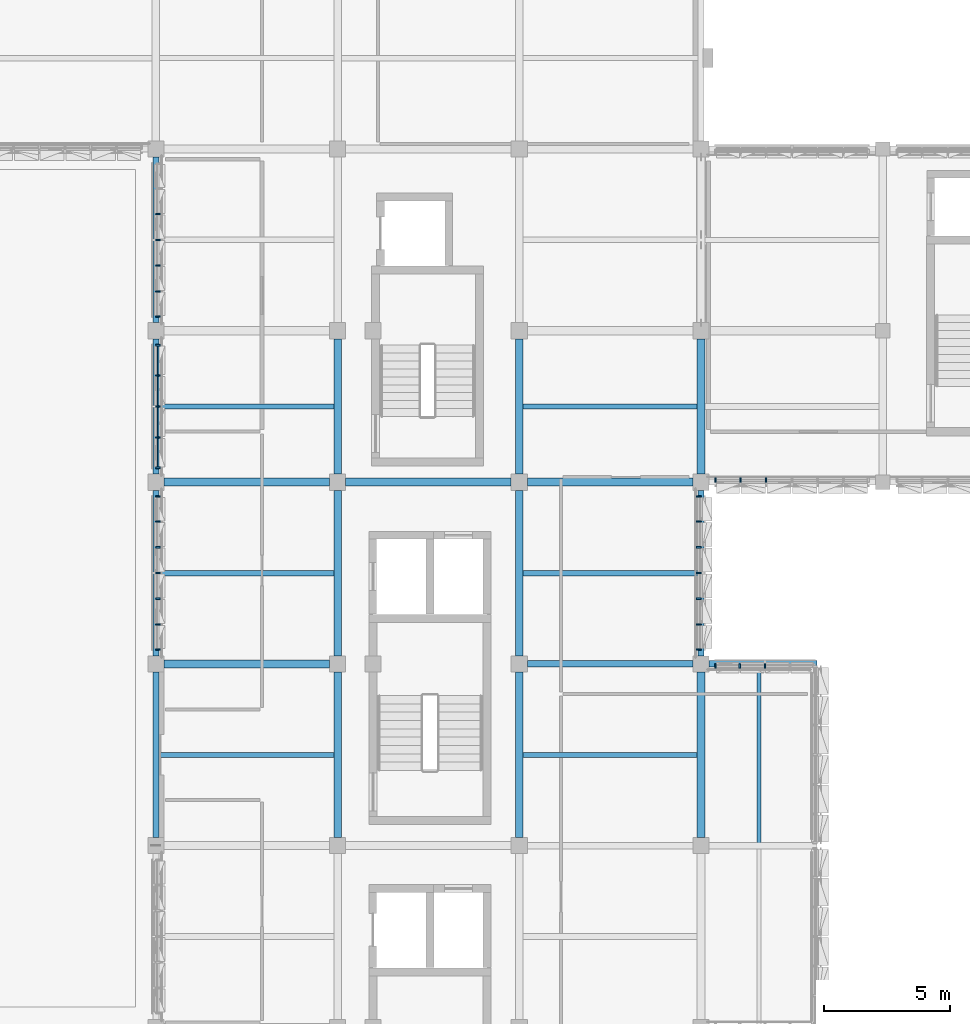
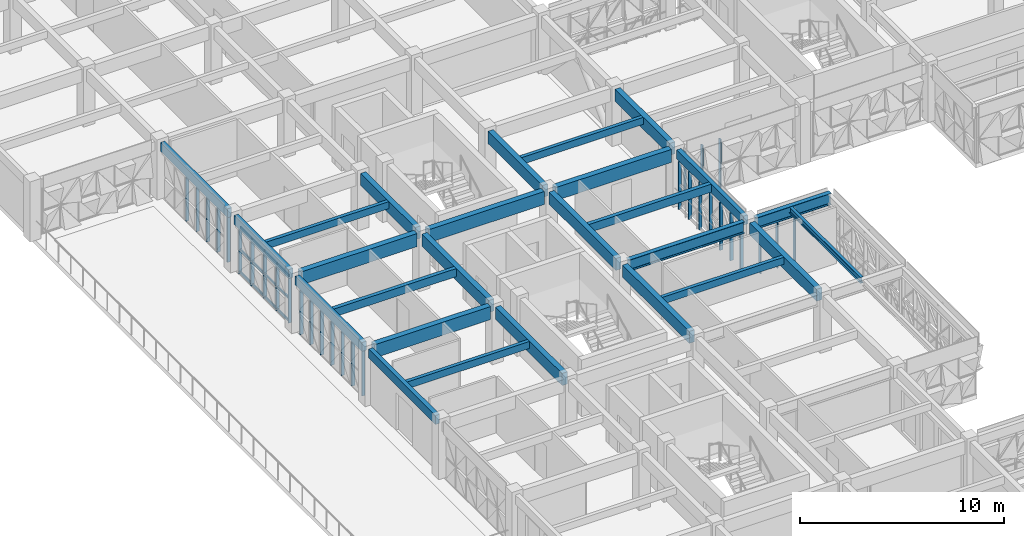
# One storey, part 6 of 85: 42 members, 26 beams, 6 elements without a shape of their own.
"""IFC4 building model written with IfcOpenShell, lengths in metres."""

from ifc_helpers import new_model, si_unit, direction, frame, origin, origin_2d, place, context, subcontext, project, spatial, rectangle, i_section, extrude, material, material_profile, profile_set, type_object, element, aggregate, save


model = new_model("IFC4")

# Units and contexts
model_context = context("Model", 3, precision=1e-05, world=origin(), true_north=direction((0.0, 1.0)))
body_context = subcontext(model_context, "Body", "Model", "MODEL_VIEW")
ifc_project = project(units=[si_unit("LENGTHUNIT", "METRE"), si_unit("AREAUNIT", "SQUARE_METRE"), si_unit("VOLUMEUNIT", "CUBIC_METRE"), si_unit("PLANEANGLEUNIT", "RADIAN"), si_unit("MASSUNIT", "GRAM", prefix="KILO")], contexts=[model_context])

# Site, building, storey
site_placement = place(None, origin())
site = spatial("IfcSite", under=ifc_project, at=site_placement, CompositionType="ELEMENT")
building_placement = place(site_placement, origin())
building = spatial("IfcBuilding", under=site, at=building_placement, Name="Alvorim Cloister Faculty of Sciences", CompositionType="ELEMENT")
storey_placement = place(building_placement, frame((0.0, 0.0, 8.550048828125)))
storey = spatial("IfcBuildingStorey", under=building, at=storey_placement, Name="L02", CompositionType="ELEMENT", Elevation=8.550048828125)

# Beams
ifc_material_1 = material(Name="Glulam GL32h", Category="wood")
ifc_material_profile_1 = material_profile(ifc_material_1, rectangle(XDim=0.300048828125, YDim=0.719970703125, at=origin_2d()), Name="GL32-BM-300x720")
ifc_profile_set_1 = profile_set([ifc_material_profile_1], Name="Glulam GL32h")
beam_type_1 = type_object("IfcBeamType", Name="BM-GL-300x720", PredefinedType="BEAM", material=ifc_profile_set_1)
for number, where, z_axis, x_axis, name in (
    (1, (14.39990234375, 29.1201171875, 3.030029296875), (0.0, 1.0, 0.0), (-1.0, 0.0, 0.0), "L02 Primary Girder BM-1369"),
    (2, (14.39990234375, 36.320068359375, 3.030029296875), (0.0, 1.0, 0.0), (-1.0, 0.0, 0.0), "L02 Primary Girder BM-1370"),
):
    element("IfcBeam", number, at=place(storey_placement, frame(where, z_axis=z_axis, x_axis=x_axis)), inside=storey, type_object=beam_type_1, Name=name, PredefinedType="BEAM", context=body_context, shape_type="SweptSolid", body=[
        extrude(rectangle(XDim=0.300048828125, YDim=0.719970703125, at=origin_2d()), origin(), (0.0, 0.0, 1.0), 6.559814453125),
    ])
beam_1_placement = place(storey_placement, frame((14.39990234375, 43.52001953125, 3.030029296875), z_axis=(0.0, 1.0, 0.0), x_axis=(-1.0, 0.0, 0.0)))
element("IfcBeam", 3, at=beam_1_placement, inside=storey, type_object=beam_type_1, Name="L02 Primary Girder BM-1371", PredefinedType="BEAM", context=body_context, shape_type="SweptSolid", body=[
    extrude(rectangle(XDim=0.300048828125, YDim=0.719970703125, at=origin_2d()), origin(), (0.0, 0.0, 1.0), 5.35986328125),
])
for number, where, z_axis, x_axis, name in (
    (4, (21.60009765625, 29.1201171875, 3.030029296875), (0.0, 1.0, 0.0), (-1.0, 0.0, 0.0), "L02 Primary Girder BM-1385"),
    (5, (21.60009765625, 36.320068359375, 3.030029296875), (0.0, 1.0, 0.0), (-1.0, 0.0, 0.0), "L02 Primary Girder BM-1386"),
):
    element("IfcBeam", number, at=place(storey_placement, frame(where, z_axis=z_axis, x_axis=x_axis)), inside=storey, type_object=beam_type_1, Name=name, PredefinedType="BEAM", context=body_context, shape_type="SweptSolid", body=[
        extrude(rectangle(XDim=0.300048828125, YDim=0.719970703125, at=origin_2d()), origin(), (0.0, 0.0, 1.0), 6.559814453125),
    ])
beam_2_placement = place(storey_placement, frame((21.60009765625, 43.52001953125, 3.030029296875), z_axis=(0.0, 1.0, 0.0), x_axis=(-1.0, 0.0, 0.0)))
element("IfcBeam", 6, at=beam_2_placement, inside=storey, type_object=beam_type_1, Name="L02 Primary Girder BM-1387", PredefinedType="BEAM", context=body_context, shape_type="SweptSolid", body=[
    extrude(rectangle(XDim=0.300048828125, YDim=0.719970703125, at=origin_2d()), origin(), (0.0, 0.0, 1.0), 5.35986328125),
])
beam_3_placement = place(storey_placement, frame((28.800048828125, 29.1201171875, 3.030029296875), z_axis=(0.0, 1.0, 0.0), x_axis=(-1.0, 0.0, 0.0)))
element("IfcBeam", 7, at=beam_3_placement, inside=storey, type_object=beam_type_1, Name="L02 Primary Girder BM-1401", PredefinedType="BEAM", context=body_context, shape_type="SweptSolid", body=[
    extrude(rectangle(XDim=0.300048828125, YDim=0.719970703125, at=origin_2d()), origin(), (0.0, 0.0, 1.0), 6.559814453125),
])
beam_4_placement = place(storey_placement, frame((28.800048828125, 43.52001953125, 3.030029296875), z_axis=(0.0, 1.0, 0.0), x_axis=(-1.0, 0.0, 0.0)))
element("IfcBeam", 8, at=beam_4_placement, inside=storey, type_object=beam_type_1, Name="L02 Primary Girder BM-1403", PredefinedType="BEAM", context=body_context, shape_type="SweptSolid", body=[
    extrude(rectangle(XDim=0.300048828125, YDim=0.719970703125, at=origin_2d()), origin(), (0.0, 0.0, 1.0), 5.35986328125),
])
ifc_material_profile_2 = material_profile(ifc_material_1, rectangle(XDim=0.320068359375, YDim=0.780029296875, at=origin_2d()), Name="GL32-BM-320x780")
ifc_profile_set_2 = profile_set([ifc_material_profile_2], Name="Glulam GL32h")
beam_type_2 = type_object("IfcBeamType", Name="BM-GL-320x780", PredefinedType="BEAM", material=ifc_profile_set_2)
for number, where, z_axis, x_axis, name in (
    (9, (7.52001953125, 36.0, 3.0), (1.0, 0.0, 0.0), (0.0, 1.0, 0.0), "L02 Primary Beam BM-1288"),
    (10, (7.52001953125, 43.199951171875, 3.0), (1.0, 0.0, 0.0), (0.0, 1.0, 0.0), "L02 Primary Beam BM-1289"),
    (11, (14.719970703125, 43.199951171875, 3.0), (1.0, 0.0, 0.0), (0.0, 1.0, 0.0), "L02 Primary Beam BM-1290"),
    (12, (21.919921875, 43.199951171875, 3.0), (1.0, 0.0, 0.0), (0.0, 1.0, 0.0), "L02 Primary Beam BM-1291"),
):
    element("IfcBeam", number, at=place(storey_placement, frame(where, z_axis=z_axis, x_axis=x_axis)), inside=storey, type_object=beam_type_2, Name=name, PredefinedType="BEAM", context=body_context, shape_type="SweptSolid", body=[
        extrude(rectangle(XDim=0.320068359375, YDim=0.780029296875, at=origin_2d()), origin(), (0.0, 0.0, 1.0), 6.56005859375),
    ])
ifc_material_2 = material(Name="Glulam GL28h", Category="wood")
ifc_material_profile_3 = material_profile(ifc_material_2, rectangle(XDim=0.199951171875, YDim=0.419921875, at=origin_2d()), Name="GL28-JST-200x420")
ifc_profile_set_3 = profile_set([ifc_material_profile_3], Name="Glulam GL28h")
beam_type_3 = type_object("IfcBeamType", Name="BM-JST-GL-200x420", PredefinedType="JOIST", material=ifc_profile_set_3)
for number, where, z_axis, x_axis, name in (
    (13, (7.320068359375, 32.39990234375, 3.179931640625), (1.0, 0.0, 0.0), (0.0, 1.0, 0.0), "L02 Secondary Floor Joist BM-1451"),
    (14, (7.320068359375, 46.199951171875, 3.179931640625), (1.0, 0.0, 0.0), (0.0, 1.0, 0.0), "L02 Secondary Floor Joist BM-1453"),
):
    element("IfcBeam", number, at=place(storey_placement, frame(where, z_axis=z_axis, x_axis=x_axis)), inside=storey, type_object=beam_type_3, Name=name, PredefinedType="JOIST", context=body_context, shape_type="SweptSolid", body=[
        extrude(rectangle(XDim=0.199951171875, YDim=0.419921875, at=origin_2d()), origin(), (0.0, 0.0, 1.0), 6.929931640625),
    ])
for number, where, z_axis, x_axis, name in (
    (15, (21.75, 32.39990234375, 3.179931640625), (1.0, 0.0, 0.0), (0.0, 1.0, 0.0), "L02 Secondary Floor Joist BM-1475"),
    (16, (21.75, 46.199951171875, 3.179931640625), (1.0, 0.0, 0.0), (0.0, 1.0, 0.0), "L02 Secondary Floor Joist BM-1477"),
):
    element("IfcBeam", number, at=place(storey_placement, frame(where, z_axis=z_axis, x_axis=x_axis)), inside=storey, type_object=beam_type_3, Name=name, PredefinedType="JOIST", context=body_context, shape_type="SweptSolid", body=[
        extrude(rectangle(XDim=0.199951171875, YDim=0.419921875, at=origin_2d()), origin(), (0.0, 0.0, 1.0), 6.89990234375),
    ])
ifc_material_profile_4 = material_profile(ifc_material_2, rectangle(XDim=0.219970703125, YDim=0.47998046875, at=origin_2d()), Name="GL28-JST-220x480")
ifc_profile_set_4 = profile_set([ifc_material_profile_4], Name="Glulam GL28h")
beam_type_4 = type_object("IfcBeamType", Name="BM-JST-GL-220x480", PredefinedType="JOIST", material=ifc_profile_set_4)
for number, where, z_axis, x_axis, name in (
    (17, (7.320068359375, 39.60009765625, 3.14990234375), (1.0, 0.0, 0.0), (0.0, 1.0, 0.0), "L02 Secondary Floor Joist BM-1452"),
    (18, (21.75, 39.60009765625, 3.14990234375), (1.0, 0.0, 0.0), (0.0, 1.0, 0.0), "L02 Secondary Floor Joist BM-1476"),
):
    element("IfcBeam", number, at=place(storey_placement, frame(where, z_axis=z_axis, x_axis=x_axis)), inside=storey, type_object=beam_type_4, Name=name, PredefinedType="JOIST", context=body_context, shape_type="SweptSolid", body=[
        extrude(rectangle(XDim=0.219970703125, YDim=0.47998046875, at=origin_2d()), origin(), (0.0, 0.0, 1.0), 6.929931640625),
    ])
ifc_material_profile_5 = material_profile(ifc_material_2, rectangle(XDim=0.239990234375, YDim=0.5400390625, at=origin_2d()), Name="GL28-SPD-240x540")
ifc_profile_set_5 = profile_set([ifc_material_profile_5], Name="Glulam GL28h")
beam_type_5 = type_object("IfcBeamType", Name="BM-SPD-GL-240x540", PredefinedType="SPANDREL", material=ifc_profile_set_5)
for number, where, z_axis, x_axis, name in (
    (19, (7.199951171875, 29.1201171875, 3.119873046875), (0.0, 1.0, 0.0), (-1.0, 0.0, 0.0), "L02 Primary Girder BM-1353"),
    (20, (7.199951171875, 36.320068359375, 3.119873046875), (0.0, 1.0, 0.0), (-1.0, 0.0, 0.0), "L02 Primary Girder BM-1354"),
):
    element("IfcBeam", number, at=place(storey_placement, frame(where, z_axis=z_axis, x_axis=x_axis)), inside=storey, type_object=beam_type_5, Name=name, PredefinedType="SPANDREL", context=body_context, shape_type="SweptSolid", body=[
        extrude(rectangle(XDim=0.239990234375, YDim=0.5400390625, at=origin_2d()), origin(), (0.0, 0.0, 1.0), 6.559814453125),
    ])
beam_5_placement = place(storey_placement, frame((7.199951171875, 43.52001953125, 3.119873046875), z_axis=(0.0, 1.0, 0.0), x_axis=(-1.0, 0.0, 0.0)))
element("IfcBeam", 21, at=beam_5_placement, inside=storey, type_object=beam_type_5, Name="L02 Primary Girder BM-1355", PredefinedType="SPANDREL", context=body_context, shape_type="SweptSolid", body=[
    extrude(rectangle(XDim=0.239990234375, YDim=0.5400390625, at=origin_2d()), origin(), (0.0, 0.0, 1.0), 5.35986328125),
])
beam_6_placement = place(storey_placement, frame((7.199951171875, 49.52001953125, 3.119873046875), z_axis=(0.0, 1.0, 0.0), x_axis=(-1.0, 0.0, 0.0)))
element("IfcBeam", 22, at=beam_6_placement, inside=storey, type_object=beam_type_5, Name="L02 Primary Girder BM-1356", PredefinedType="SPANDREL", context=body_context, shape_type="SweptSolid", body=[
    extrude(rectangle(XDim=0.239990234375, YDim=0.5400390625, at=origin_2d()), origin(), (0.0, 0.0, 1.0), 6.56005859375),
])
beam_7_placement = place(storey_placement, frame((28.800048828125, 36.320068359375, 3.119873046875), z_axis=(0.0, 1.0, 0.0), x_axis=(-1.0, 0.0, 0.0)))
element("IfcBeam", 23, at=beam_7_placement, inside=storey, type_object=beam_type_5, Name="L02 Primary Girder BM-1402", PredefinedType="SPANDREL", context=body_context, shape_type="SweptSolid", body=[
    extrude(rectangle(XDim=0.239990234375, YDim=0.5400390625, at=origin_2d()), origin(), (0.0, 0.0, 1.0), 6.559814453125),
])
ifc_material_3 = material(Name="Steel ASTM A572 Grade 50", Category="steel")
ifc_material_profile_6 = material_profile(ifc_material_3, i_section(OverallWidth=0.1708984375, OverallDepth=0.35498046875, WebThickness=0.007080078125, FlangeThickness=0.01171875, FilletRadius=0.012939453125, at=origin_2d()), Name="W360x51.0")
ifc_profile_set_6 = profile_set([ifc_material_profile_6], Name="Steel ASTM A572 Grade 50")
beam_type_6 = type_object("IfcBeamType", Name="BM-STL-W360", PredefinedType="JOIST", material=ifc_profile_set_6)
beam_8_placement = place(storey_placement, frame((31.10009765625, 28.909912109375, 3.21240234375), z_axis=(0.0, 1.0, 0.0), x_axis=(-1.0, 0.0, 0.0)))
element("IfcBeam", 24, at=beam_8_placement, inside=storey, type_object=beam_type_6, Name="L02 Cantilever Deck Joist BM-0020", PredefinedType="JOIST", context=body_context, shape_type="SweptSolid", body=[
    extrude(i_section(OverallWidth=0.1708984375, OverallDepth=0.35498046875, WebThickness=0.007080078125, FlangeThickness=0.01171875, FilletRadius=0.012939453125, at=origin_2d()), origin(), (0.0, 0.0, 1.0), 6.97998046875),
])
ifc_material_profile_7 = material_profile(ifc_material_3, i_section(OverallWidth=0.25390625, OverallDepth=0.68408203125, WebThickness=0.012451171875, FlangeThickness=0.01904296875, FilletRadius=0.01904296875, at=origin_2d()), Name="W690x140.0")
ifc_profile_set_7 = profile_set([ifc_material_profile_7], Name="Steel ASTM A572 Grade 50")
beam_type_7 = type_object("IfcBeamType", Name="BM-STL-W690", PredefinedType="BEAM", material=ifc_profile_set_7)
beam_9_placement = place(storey_placement, frame((21.919921875, 36.0, 3.0478515625), z_axis=(1.0, 0.0, 0.0), x_axis=(0.0, 1.0, 0.0)))
element("IfcBeam", 25, at=beam_9_placement, inside=storey, type_object=beam_type_7, Name="L02 Cantilever Backspan Girder BM-0015", PredefinedType="BEAM", context=body_context, shape_type="SweptSolid", body=[
    extrude(i_section(OverallWidth=0.25390625, OverallDepth=0.68408203125, WebThickness=0.012451171875, FlangeThickness=0.01904296875, FilletRadius=0.01904296875, at=origin_2d()), origin(), (0.0, 0.0, 1.0), 6.56005859375),
])
beam_10_placement = place(storey_placement, frame((29.1201171875, 36.0, 3.0478515625), z_axis=(1.0, 0.0, 0.0), x_axis=(0.0, 1.0, 0.0)))
element("IfcBeam", 26, at=beam_10_placement, inside=storey, type_object=beam_type_7, Name="L02 Cantilever Overhang Girder BM-0016", PredefinedType="BEAM", context=body_context, shape_type="SweptSolid", body=[
    extrude(i_section(OverallWidth=0.25390625, OverallDepth=0.68408203125, WebThickness=0.012451171875, FlangeThickness=0.01904296875, FilletRadius=0.01904296875, at=origin_2d()), origin(), (0.0, 0.0, 1.0), 4.27978515625),
])

# Curtain wall, members
ifc_material_4 = material(Name="Aluminium and Low-E Glass Curtain Wall", Category="aluminium")
curtain_wall_type_1 = type_object("IfcCurtainWallType", Name="CW-TRI-6120x2850", PredefinedType="USERDEFINED", material=ifc_material_4)
curtain_wall_1_placement = place(storey_placement, origin())
curtain_wall_1 = element("IfcCurtainWall", 27, at=curtain_wall_1_placement, inside=storey, type_object=curtain_wall_type_1, Name="L02 Diagonal Cassette Curtain Wall CW-0052", ObjectType="UNITISED CURTAIN WALL", PredefinedType="USERDEFINED")
ifc_material_5 = material(Name="Aluminium Alloy 6063-T6", Category="aluminium")
ifc_material_profile_8 = material_profile(ifc_material_5, rectangle(XDim=0.06494140625, YDim=0.179931640625, at=origin_2d()), Name="ALU-MUL-65x180")
ifc_profile_set_8 = profile_set([ifc_material_profile_8], Name="Aluminium Alloy 6063-T6")
member_type_1 = type_object("IfcMemberType", Name="CW-MUL-65x180", PredefinedType="MULLION", material=ifc_profile_set_8)
member_1_placement = place(storey_placement, frame((7.2900390625, 36.572509765625, 0.0), z_axis=(0.0, 0.0, 1.0), x_axis=(0.0, 1.0, 0.0)))
member_1 = element("IfcMember", 28, at=member_1_placement, type_object=member_type_1, Name="CW-0052 Mullion 1", PredefinedType="MULLION", context=body_context, shape_type="SweptSolid", body=[
    extrude(rectangle(XDim=0.06494140625, YDim=0.179931640625, at=origin_2d()), origin(), (0.0, 0.0, 1.0), 2.849853515625),
])
member_2_placement = place(storey_placement, frame((7.2900390625, 37.56005859375, 0.0), z_axis=(0.0, 0.0, 1.0), x_axis=(0.0, 1.0, 0.0)))
member_2 = element("IfcMember", 29, at=member_2_placement, type_object=member_type_1, Name="CW-0052 Mullion 2", PredefinedType="MULLION", context=body_context, shape_type="SweptSolid", body=[
    extrude(rectangle(XDim=0.06494140625, YDim=0.179931640625, at=origin_2d()), origin(), (0.0, 0.0, 1.0), 2.849853515625),
])
member_3_placement = place(storey_placement, frame((7.2900390625, 38.580078125, 0.0), z_axis=(0.0, 0.0, 1.0), x_axis=(0.0, 1.0, 0.0)))
member_3 = element("IfcMember", 30, at=member_3_placement, type_object=member_type_1, Name="CW-0052 Mullion 3", PredefinedType="MULLION", context=body_context, shape_type="SweptSolid", body=[
    extrude(rectangle(XDim=0.06494140625, YDim=0.179931640625, at=origin_2d()), origin(), (0.0, 0.0, 1.0), 2.849853515625),
])
member_4_placement = place(storey_placement, frame((7.2900390625, 39.60009765625, 0.0), z_axis=(0.0, 0.0, 1.0), x_axis=(0.0, 1.0, 0.0)))
member_4 = element("IfcMember", 31, at=member_4_placement, type_object=member_type_1, Name="CW-0052 Mullion 4", PredefinedType="MULLION", context=body_context, shape_type="SweptSolid", body=[
    extrude(rectangle(XDim=0.06494140625, YDim=0.179931640625, at=origin_2d()), origin(), (0.0, 0.0, 1.0), 2.849853515625),
])
member_5_placement = place(storey_placement, frame((7.2900390625, 40.6201171875, 0.0), z_axis=(0.0, 0.0, 1.0), x_axis=(0.0, 1.0, 0.0)))
member_5 = element("IfcMember", 32, at=member_5_placement, type_object=member_type_1, Name="CW-0052 Mullion 5", PredefinedType="MULLION", context=body_context, shape_type="SweptSolid", body=[
    extrude(rectangle(XDim=0.06494140625, YDim=0.179931640625, at=origin_2d()), origin(), (0.0, 0.0, 1.0), 2.849853515625),
])
member_6_placement = place(storey_placement, frame((7.2900390625, 41.639892578125, 0.0), z_axis=(0.0, 0.0, 1.0), x_axis=(0.0, 1.0, 0.0)))
member_6 = element("IfcMember", 33, at=member_6_placement, type_object=member_type_1, Name="CW-0052 Mullion 6", PredefinedType="MULLION", context=body_context, shape_type="SweptSolid", body=[
    extrude(rectangle(XDim=0.06494140625, YDim=0.179931640625, at=origin_2d()), origin(), (0.0, 0.0, 1.0), 2.849853515625),
])
member_7_placement = place(storey_placement, frame((7.2900390625, 42.62744140625, 0.0), z_axis=(0.0, 0.0, 1.0), x_axis=(0.0, 1.0, 0.0)))
member_7 = element("IfcMember", 34, at=member_7_placement, type_object=member_type_1, Name="CW-0052 Mullion 7", PredefinedType="MULLION", context=body_context, shape_type="SweptSolid", body=[
    extrude(rectangle(XDim=0.06494140625, YDim=0.179931640625, at=origin_2d()), origin(), (0.0, 0.0, 1.0), 2.849853515625),
])
aggregate(curtain_wall_1, [member_1, member_2, member_3, member_4, member_5, member_6, member_7])

curtain_wall_type_2 = type_object("IfcCurtainWallType", Name="CW-TRI-4920x2850", PredefinedType="USERDEFINED", material=ifc_material_4)
curtain_wall_2_placement = place(storey_placement, origin())
curtain_wall_2 = element("IfcCurtainWall", 35, at=curtain_wall_2_placement, inside=storey, type_object=curtain_wall_type_2, Name="L02 Diagonal Cassette Curtain Wall CW-0053", ObjectType="UNITISED CURTAIN WALL", PredefinedType="USERDEFINED")
member_8_placement = place(storey_placement, frame((7.2900390625, 43.7724609375, 0.0), z_axis=(0.0, 0.0, 1.0), x_axis=(0.0, 1.0, 0.0)))
member_8 = element("IfcMember", 36, at=member_8_placement, type_object=member_type_1, Name="CW-0053 Mullion 1", PredefinedType="MULLION", context=body_context, shape_type="SweptSolid", body=[
    extrude(rectangle(XDim=0.06494140625, YDim=0.179931640625, at=origin_2d()), origin(), (0.0, 0.0, 1.0), 2.849853515625),
])
member_9_placement = place(storey_placement, frame((7.2900390625, 44.969970703125, 0.0), z_axis=(0.0, 0.0, 1.0), x_axis=(0.0, 1.0, 0.0)))
member_9 = element("IfcMember", 37, at=member_9_placement, type_object=member_type_1, Name="CW-0053 Mullion 2", PredefinedType="MULLION", context=body_context, shape_type="SweptSolid", body=[
    extrude(rectangle(XDim=0.06494140625, YDim=0.179931640625, at=origin_2d()), origin(), (0.0, 0.0, 1.0), 2.849853515625),
])
member_10_placement = place(storey_placement, frame((7.2900390625, 46.199951171875, 0.0), z_axis=(0.0, 0.0, 1.0), x_axis=(0.0, 1.0, 0.0)))
member_10 = element("IfcMember", 38, at=member_10_placement, type_object=member_type_1, Name="CW-0053 Mullion 3", PredefinedType="MULLION", context=body_context, shape_type="SweptSolid", body=[
    extrude(rectangle(XDim=0.06494140625, YDim=0.179931640625, at=origin_2d()), origin(), (0.0, 0.0, 1.0), 2.849853515625),
])
member_11_placement = place(storey_placement, frame((7.2900390625, 47.429931640625, 0.0), z_axis=(0.0, 0.0, 1.0), x_axis=(0.0, 1.0, 0.0)))
member_11 = element("IfcMember", 39, at=member_11_placement, type_object=member_type_1, Name="CW-0053 Mullion 4", PredefinedType="MULLION", context=body_context, shape_type="SweptSolid", body=[
    extrude(rectangle(XDim=0.06494140625, YDim=0.179931640625, at=origin_2d()), origin(), (0.0, 0.0, 1.0), 2.849853515625),
])
member_12_placement = place(storey_placement, frame((7.2900390625, 48.62744140625, 0.0), z_axis=(0.0, 0.0, 1.0), x_axis=(0.0, 1.0, 0.0)))
member_12 = element("IfcMember", 40, at=member_12_placement, type_object=member_type_1, Name="CW-0053 Mullion 5", PredefinedType="MULLION", context=body_context, shape_type="SweptSolid", body=[
    extrude(rectangle(XDim=0.06494140625, YDim=0.179931640625, at=origin_2d()), origin(), (0.0, 0.0, 1.0), 2.849853515625),
])

curtain_wall_3_placement = place(storey_placement, origin())
curtain_wall_3 = element("IfcCurtainWall", 41, at=curtain_wall_3_placement, inside=storey, type_object=curtain_wall_type_1, Name="L02 Diagonal Cassette Curtain Wall CW-0054", ObjectType="UNITISED CURTAIN WALL", PredefinedType="USERDEFINED")
member_13_placement = place(storey_placement, frame((7.2900390625, 49.7724609375, 0.0), z_axis=(0.0, 0.0, 1.0), x_axis=(0.0, 1.0, 0.0)))
member_13 = element("IfcMember", 42, at=member_13_placement, type_object=member_type_1, Name="CW-0054 Mullion 1", PredefinedType="MULLION", context=body_context, shape_type="SweptSolid", body=[
    extrude(rectangle(XDim=0.06494140625, YDim=0.179931640625, at=origin_2d()), origin(), (0.0, 0.0, 1.0), 2.849853515625),
])
member_14_placement = place(storey_placement, frame((7.2900390625, 50.760009765625, 0.0), z_axis=(0.0, 0.0, 1.0), x_axis=(0.0, 1.0, 0.0)))
member_14 = element("IfcMember", 43, at=member_14_placement, type_object=member_type_1, Name="CW-0054 Mullion 2", PredefinedType="MULLION", context=body_context, shape_type="SweptSolid", body=[
    extrude(rectangle(XDim=0.06494140625, YDim=0.179931640625, at=origin_2d()), origin(), (0.0, 0.0, 1.0), 2.849853515625),
])
member_15_placement = place(storey_placement, frame((7.2900390625, 51.780029296875, 0.0), z_axis=(0.0, 0.0, 1.0), x_axis=(0.0, 1.0, 0.0)))
member_15 = element("IfcMember", 44, at=member_15_placement, type_object=member_type_1, Name="CW-0054 Mullion 3", PredefinedType="MULLION", context=body_context, shape_type="SweptSolid", body=[
    extrude(rectangle(XDim=0.06494140625, YDim=0.179931640625, at=origin_2d()), origin(), (0.0, 0.0, 1.0), 2.849853515625),
])
member_16_placement = place(storey_placement, frame((7.2900390625, 52.800048828125, 0.0), z_axis=(0.0, 0.0, 1.0), x_axis=(0.0, 1.0, 0.0)))
member_16 = element("IfcMember", 45, at=member_16_placement, type_object=member_type_1, Name="CW-0054 Mullion 4", PredefinedType="MULLION", context=body_context, shape_type="SweptSolid", body=[
    extrude(rectangle(XDim=0.06494140625, YDim=0.179931640625, at=origin_2d()), origin(), (0.0, 0.0, 1.0), 2.849853515625),
])
member_17_placement = place(storey_placement, frame((7.2900390625, 53.820068359375, 0.0), z_axis=(0.0, 0.0, 1.0), x_axis=(0.0, 1.0, 0.0)))
member_17 = element("IfcMember", 46, at=member_17_placement, type_object=member_type_1, Name="CW-0054 Mullion 5", PredefinedType="MULLION", context=body_context, shape_type="SweptSolid", body=[
    extrude(rectangle(XDim=0.06494140625, YDim=0.179931640625, at=origin_2d()), origin(), (0.0, 0.0, 1.0), 2.849853515625),
])
aggregate(curtain_wall_3, [member_13, member_14, member_15, member_16, member_17])

curtain_wall_4_placement = place(storey_placement, origin())
curtain_wall_4 = element("IfcCurtainWall", 47, at=curtain_wall_4_placement, inside=storey, type_object=curtain_wall_type_1, Name="L02 Diagonal Cassette Curtain Wall CW-0069", ObjectType="UNITISED CURTAIN WALL", PredefinedType="USERDEFINED")
member_18_placement = place(storey_placement, frame((29.37255859375, 43.2900390625, 0.0), z_axis=(0.0, 0.0, 1.0), x_axis=(1.0, 0.0, 0.0)))
member_18 = element("IfcMember", 48, at=member_18_placement, type_object=member_type_1, Name="CW-0069 Mullion 1", PredefinedType="MULLION", context=body_context, shape_type="SweptSolid", body=[
    extrude(rectangle(XDim=0.06494140625, YDim=0.179931640625, at=origin_2d()), origin(), (0.0, 0.0, 1.0), 2.849853515625),
])
member_19_placement = place(storey_placement, frame((30.360107421875, 43.2900390625, 0.0), z_axis=(0.0, 0.0, 1.0), x_axis=(1.0, 0.0, 0.0)))
member_19 = element("IfcMember", 49, at=member_19_placement, type_object=member_type_1, Name="CW-0069 Mullion 2", PredefinedType="MULLION", context=body_context, shape_type="SweptSolid", body=[
    extrude(rectangle(XDim=0.06494140625, YDim=0.179931640625, at=origin_2d()), origin(), (0.0, 0.0, 1.0), 2.849853515625),
])
member_20_placement = place(storey_placement, frame((31.3798828125, 43.2900390625, 0.0), z_axis=(0.0, 0.0, 1.0), x_axis=(1.0, 0.0, 0.0)))
member_20 = element("IfcMember", 50, at=member_20_placement, type_object=member_type_1, Name="CW-0069 Mullion 3", PredefinedType="MULLION", context=body_context, shape_type="SweptSolid", body=[
    extrude(rectangle(XDim=0.06494140625, YDim=0.179931640625, at=origin_2d()), origin(), (0.0, 0.0, 1.0), 2.849853515625),
])
aggregate(curtain_wall_4, [member_18, member_19, member_20])

curtain_wall_5_placement = place(storey_placement, origin())
curtain_wall_5 = element("IfcCurtainWall", 51, at=curtain_wall_5_placement, inside=storey, type_object=curtain_wall_type_1, Name="L02 Diagonal Cassette Curtain Wall CW-0070", ObjectType="UNITISED CURTAIN WALL", PredefinedType="USERDEFINED")
member_21_placement = place(storey_placement, frame((28.7099609375, 36.572509765625, 0.0), z_axis=(0.0, 0.0, 1.0), x_axis=(0.0, 1.0, 0.0)))
member_21 = element("IfcMember", 52, at=member_21_placement, type_object=member_type_1, Name="CW-0070 Mullion 1", PredefinedType="MULLION", context=body_context, shape_type="SweptSolid", body=[
    extrude(rectangle(XDim=0.06494140625, YDim=0.179931640625, at=origin_2d()), origin(), (0.0, 0.0, 1.0), 2.849853515625),
])
member_22_placement = place(storey_placement, frame((28.7099609375, 37.56005859375, 0.0), z_axis=(0.0, 0.0, 1.0), x_axis=(0.0, 1.0, 0.0)))
member_22 = element("IfcMember", 53, at=member_22_placement, type_object=member_type_1, Name="CW-0070 Mullion 2", PredefinedType="MULLION", context=body_context, shape_type="SweptSolid", body=[
    extrude(rectangle(XDim=0.06494140625, YDim=0.179931640625, at=origin_2d()), origin(), (0.0, 0.0, 1.0), 2.849853515625),
])
member_23_placement = place(storey_placement, frame((28.7099609375, 38.580078125, 0.0), z_axis=(0.0, 0.0, 1.0), x_axis=(0.0, 1.0, 0.0)))
member_23 = element("IfcMember", 54, at=member_23_placement, type_object=member_type_1, Name="CW-0070 Mullion 3", PredefinedType="MULLION", context=body_context, shape_type="SweptSolid", body=[
    extrude(rectangle(XDim=0.06494140625, YDim=0.179931640625, at=origin_2d()), origin(), (0.0, 0.0, 1.0), 2.849853515625),
])
member_24_placement = place(storey_placement, frame((28.7099609375, 39.60009765625, 0.0), z_axis=(0.0, 0.0, 1.0), x_axis=(0.0, 1.0, 0.0)))
member_24 = element("IfcMember", 55, at=member_24_placement, type_object=member_type_1, Name="CW-0070 Mullion 4", PredefinedType="MULLION", context=body_context, shape_type="SweptSolid", body=[
    extrude(rectangle(XDim=0.06494140625, YDim=0.179931640625, at=origin_2d()), origin(), (0.0, 0.0, 1.0), 2.849853515625),
])
member_25_placement = place(storey_placement, frame((28.7099609375, 40.6201171875, 0.0), z_axis=(0.0, 0.0, 1.0), x_axis=(0.0, 1.0, 0.0)))
member_25 = element("IfcMember", 56, at=member_25_placement, type_object=member_type_1, Name="CW-0070 Mullion 5", PredefinedType="MULLION", context=body_context, shape_type="SweptSolid", body=[
    extrude(rectangle(XDim=0.06494140625, YDim=0.179931640625, at=origin_2d()), origin(), (0.0, 0.0, 1.0), 2.849853515625),
])
member_26_placement = place(storey_placement, frame((28.7099609375, 41.639892578125, 0.0), z_axis=(0.0, 0.0, 1.0), x_axis=(0.0, 1.0, 0.0)))
member_26 = element("IfcMember", 57, at=member_26_placement, type_object=member_type_1, Name="CW-0070 Mullion 6", PredefinedType="MULLION", context=body_context, shape_type="SweptSolid", body=[
    extrude(rectangle(XDim=0.06494140625, YDim=0.179931640625, at=origin_2d()), origin(), (0.0, 0.0, 1.0), 2.849853515625),
])
member_27_placement = place(storey_placement, frame((28.7099609375, 42.62744140625, 0.0), z_axis=(0.0, 0.0, 1.0), x_axis=(0.0, 1.0, 0.0)))
member_27 = element("IfcMember", 58, at=member_27_placement, type_object=member_type_1, Name="CW-0070 Mullion 7", PredefinedType="MULLION", context=body_context, shape_type="SweptSolid", body=[
    extrude(rectangle(XDim=0.06494140625, YDim=0.179931640625, at=origin_2d()), origin(), (0.0, 0.0, 1.0), 2.849853515625),
])
aggregate(curtain_wall_5, [member_21, member_22, member_23, member_24, member_25, member_26, member_27])

curtain_wall_type_3 = type_object("IfcCurtainWallType", Name="CW-TRI-3980x2706", PredefinedType="USERDEFINED", material=ifc_material_4)
curtain_wall_6_placement = place(storey_placement, origin())
curtain_wall_6 = element("IfcCurtainWall", 59, at=curtain_wall_6_placement, inside=storey, type_object=curtain_wall_type_3, Name="L02 Diagonal Cassette Curtain Wall CW-0071", ObjectType="UNITISED CURTAIN WALL", PredefinedType="USERDEFINED")
member_28_placement = place(storey_placement, frame((29.37255859375, 35.909912109375, 0.0), z_axis=(0.0, 0.0, 1.0), x_axis=(1.0, 0.0, 0.0)))
member_28 = element("IfcMember", 60, at=member_28_placement, type_object=member_type_1, Name="CW-0071 Mullion 1", PredefinedType="MULLION", context=body_context, shape_type="SweptSolid", body=[
    extrude(rectangle(XDim=0.06494140625, YDim=0.179931640625, at=origin_2d()), origin(), (0.0, 0.0, 1.0), 2.7060546875),
])
member_29_placement = place(storey_placement, frame((30.3349609375, 35.909912109375, 0.0), z_axis=(0.0, 0.0, 1.0), x_axis=(1.0, 0.0, 0.0)))
member_29 = element("IfcMember", 61, at=member_29_placement, type_object=member_type_1, Name="CW-0071 Mullion 2", PredefinedType="MULLION", context=body_context, shape_type="SweptSolid", body=[
    extrude(rectangle(XDim=0.06494140625, YDim=0.179931640625, at=origin_2d()), origin(), (0.0, 0.0, 1.0), 2.7060546875),
])
member_30_placement = place(storey_placement, frame((31.330078125, 35.909912109375, 0.0), z_axis=(0.0, 0.0, 1.0), x_axis=(1.0, 0.0, 0.0)))
member_30 = element("IfcMember", 62, at=member_30_placement, type_object=member_type_1, Name="CW-0071 Mullion 3", PredefinedType="MULLION", context=body_context, shape_type="SweptSolid", body=[
    extrude(rectangle(XDim=0.06494140625, YDim=0.179931640625, at=origin_2d()), origin(), (0.0, 0.0, 1.0), 2.7060546875),
])
aggregate(curtain_wall_6, [member_28, member_29, member_30])

# Member
ifc_material_profile_9 = material_profile(ifc_material_5, rectangle(XDim=0.06494140625, YDim=0.139892578125, at=origin_2d()), Name="ALU-TRN-65x140")
ifc_profile_set_9 = profile_set([ifc_material_profile_9], Name="Aluminium Alloy 6063-T6")
member_type_2 = type_object("IfcMemberType", Name="CW-TRN-65x140", PredefinedType="USERDEFINED", material=ifc_profile_set_9)
member_31_placement = place(storey_placement, frame((7.2900390625, 43.804931640625, 0.070068359375), z_axis=(0.0, 1.0, 0.0), x_axis=(-1.0, 0.0, 0.0)))
member_31 = element("IfcMember", 63, at=member_31_placement, type_object=member_type_2, Name="CW-0053 Transom 1.1", ObjectType="TRANSOM", PredefinedType="USERDEFINED", context=body_context, shape_type="SweptSolid", body=[
    extrude(rectangle(XDim=0.06494140625, YDim=0.139892578125, at=origin_2d()), origin(), (0.0, 0.0, 1.0), 1.132568359375),
])

member_32_placement = place(storey_placement, frame((7.2900390625, 43.804931640625, 1.425048828125), z_axis=(0.0, 1.0, 0.0), x_axis=(-1.0, 0.0, 0.0)))
member_32 = element("IfcMember", 64, at=member_32_placement, type_object=member_type_2, Name="CW-0053 Transom 1.2", ObjectType="TRANSOM", PredefinedType="USERDEFINED", context=body_context, shape_type="SweptSolid", body=[
    extrude(rectangle(XDim=0.06494140625, YDim=0.139892578125, at=origin_2d()), origin(), (0.0, 0.0, 1.0), 1.132568359375),
])

member_33_placement = place(storey_placement, frame((7.2900390625, 43.804931640625, 2.780029296875), z_axis=(0.0, 1.0, 0.0), x_axis=(-1.0, 0.0, 0.0)))
member_33 = element("IfcMember", 65, at=member_33_placement, type_object=member_type_2, Name="CW-0053 Transom 1.3", ObjectType="TRANSOM", PredefinedType="USERDEFINED", context=body_context, shape_type="SweptSolid", body=[
    extrude(rectangle(XDim=0.06494140625, YDim=0.139892578125, at=origin_2d()), origin(), (0.0, 0.0, 1.0), 1.132568359375),
])

member_34_placement = place(storey_placement, frame((7.2900390625, 45.00244140625, 0.070068359375), z_axis=(0.0, 1.0, 0.0), x_axis=(-1.0, 0.0, 0.0)))
member_34 = element("IfcMember", 66, at=member_34_placement, type_object=member_type_2, Name="CW-0053 Transom 2.1", ObjectType="TRANSOM", PredefinedType="USERDEFINED", context=body_context, shape_type="SweptSolid", body=[
    extrude(rectangle(XDim=0.06494140625, YDim=0.139892578125, at=origin_2d()), origin(), (0.0, 0.0, 1.0), 1.1650390625),
])

member_35_placement = place(storey_placement, frame((7.2900390625, 45.00244140625, 1.425048828125), z_axis=(0.0, 1.0, 0.0), x_axis=(-1.0, 0.0, 0.0)))
member_35 = element("IfcMember", 67, at=member_35_placement, type_object=member_type_2, Name="CW-0053 Transom 2.2", ObjectType="TRANSOM", PredefinedType="USERDEFINED", context=body_context, shape_type="SweptSolid", body=[
    extrude(rectangle(XDim=0.06494140625, YDim=0.139892578125, at=origin_2d()), origin(), (0.0, 0.0, 1.0), 1.1650390625),
])

member_36_placement = place(storey_placement, frame((7.2900390625, 45.00244140625, 2.780029296875), z_axis=(0.0, 1.0, 0.0), x_axis=(-1.0, 0.0, 0.0)))
member_36 = element("IfcMember", 68, at=member_36_placement, type_object=member_type_2, Name="CW-0053 Transom 2.3", ObjectType="TRANSOM", PredefinedType="USERDEFINED", context=body_context, shape_type="SweptSolid", body=[
    extrude(rectangle(XDim=0.06494140625, YDim=0.139892578125, at=origin_2d()), origin(), (0.0, 0.0, 1.0), 1.1650390625),
])

member_37_placement = place(storey_placement, frame((7.2900390625, 46.232421875, 0.070068359375), z_axis=(0.0, 1.0, 0.0), x_axis=(-1.0, 0.0, 0.0)))
member_37 = element("IfcMember", 69, at=member_37_placement, type_object=member_type_2, Name="CW-0053 Transom 3.1", ObjectType="TRANSOM", PredefinedType="USERDEFINED", context=body_context, shape_type="SweptSolid", body=[
    extrude(rectangle(XDim=0.06494140625, YDim=0.139892578125, at=origin_2d()), origin(), (0.0, 0.0, 1.0), 1.1650390625),
])

member_38_placement = place(storey_placement, frame((7.2900390625, 46.232421875, 1.425048828125), z_axis=(0.0, 1.0, 0.0), x_axis=(-1.0, 0.0, 0.0)))
member_38 = element("IfcMember", 70, at=member_38_placement, type_object=member_type_2, Name="CW-0053 Transom 3.2", ObjectType="TRANSOM", PredefinedType="USERDEFINED", context=body_context, shape_type="SweptSolid", body=[
    extrude(rectangle(XDim=0.06494140625, YDim=0.139892578125, at=origin_2d()), origin(), (0.0, 0.0, 1.0), 1.1650390625),
])

member_39_placement = place(storey_placement, frame((7.2900390625, 46.232421875, 2.780029296875), z_axis=(0.0, 1.0, 0.0), x_axis=(-1.0, 0.0, 0.0)))
member_39 = element("IfcMember", 71, at=member_39_placement, type_object=member_type_2, Name="CW-0053 Transom 3.3", ObjectType="TRANSOM", PredefinedType="USERDEFINED", context=body_context, shape_type="SweptSolid", body=[
    extrude(rectangle(XDim=0.06494140625, YDim=0.139892578125, at=origin_2d()), origin(), (0.0, 0.0, 1.0), 1.1650390625),
])

member_40_placement = place(storey_placement, frame((7.2900390625, 47.46240234375, 0.070068359375), z_axis=(0.0, 1.0, 0.0), x_axis=(-1.0, 0.0, 0.0)))
member_40 = element("IfcMember", 72, at=member_40_placement, type_object=member_type_2, Name="CW-0053 Transom 4.1", ObjectType="TRANSOM", PredefinedType="USERDEFINED", context=body_context, shape_type="SweptSolid", body=[
    extrude(rectangle(XDim=0.06494140625, YDim=0.139892578125, at=origin_2d()), origin(), (0.0, 0.0, 1.0), 1.132568359375),
])

member_41_placement = place(storey_placement, frame((7.2900390625, 47.46240234375, 1.425048828125), z_axis=(0.0, 1.0, 0.0), x_axis=(-1.0, 0.0, 0.0)))
member_41 = element("IfcMember", 73, at=member_41_placement, type_object=member_type_2, Name="CW-0053 Transom 4.2", ObjectType="TRANSOM", PredefinedType="USERDEFINED", context=body_context, shape_type="SweptSolid", body=[
    extrude(rectangle(XDim=0.06494140625, YDim=0.139892578125, at=origin_2d()), origin(), (0.0, 0.0, 1.0), 1.132568359375),
])

member_42_placement = place(storey_placement, frame((7.2900390625, 47.46240234375, 2.780029296875), z_axis=(0.0, 1.0, 0.0), x_axis=(-1.0, 0.0, 0.0)))
member_42 = element("IfcMember", 74, at=member_42_placement, type_object=member_type_2, Name="CW-0053 Transom 4.3", ObjectType="TRANSOM", PredefinedType="USERDEFINED", context=body_context, shape_type="SweptSolid", body=[
    extrude(rectangle(XDim=0.06494140625, YDim=0.139892578125, at=origin_2d()), origin(), (0.0, 0.0, 1.0), 1.132568359375),
])

aggregate(curtain_wall_2, [member_8, member_9, member_10, member_11, member_12, member_31, member_32, member_33, member_34, member_35, member_36, member_37, member_38, member_39, member_40, member_41, member_42])

save(model, "model.ifc")
